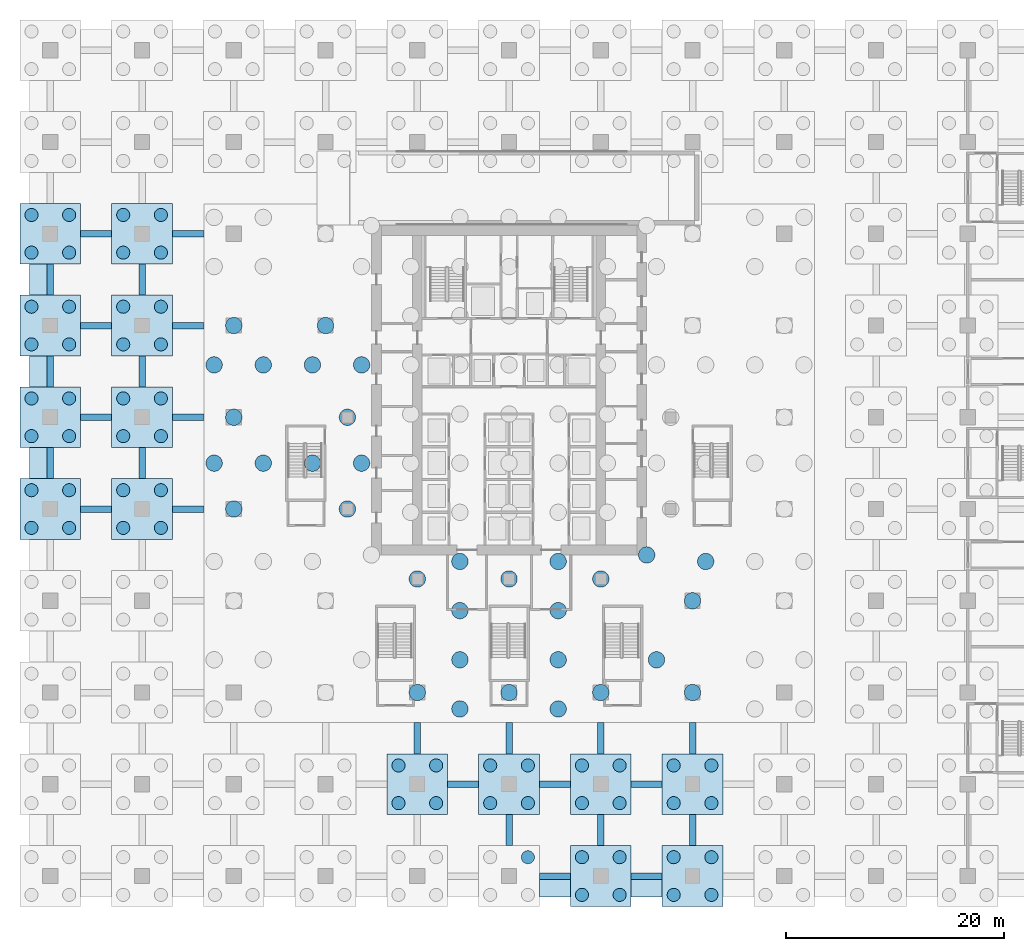
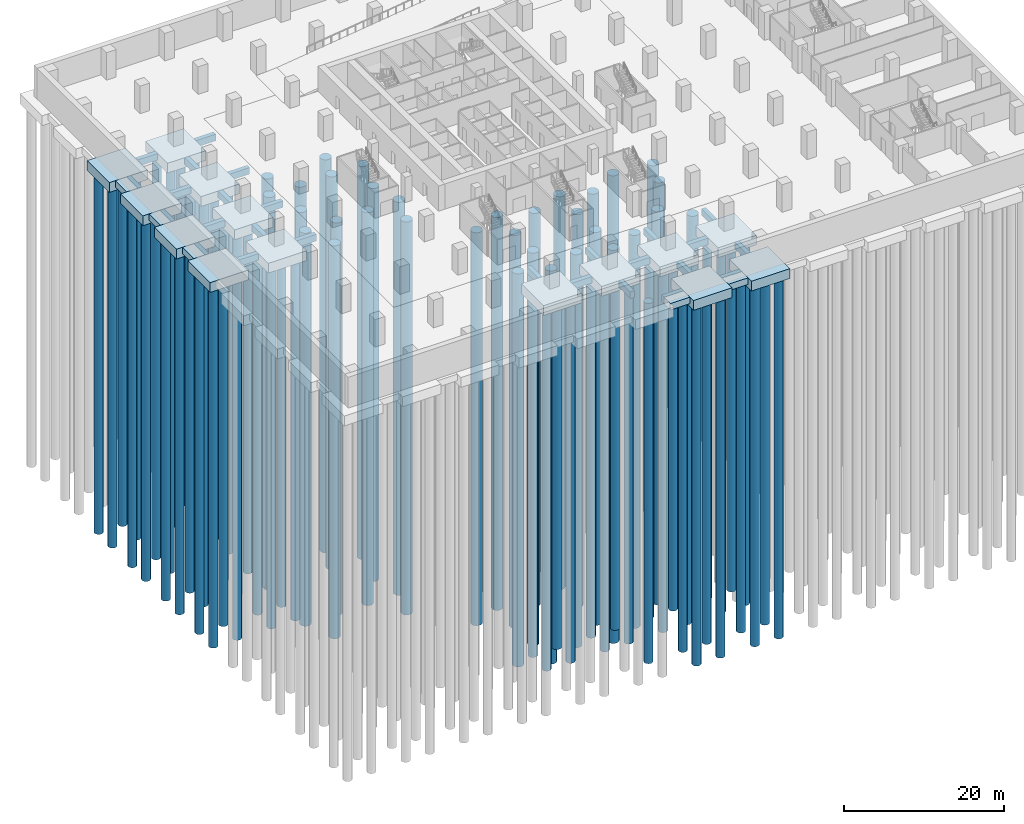
# One storey, part 2 of 22: 90 piles, 45 footings.
"""IFC4 building model written with IfcOpenShell, lengths in metres."""

import ifcopenshell
import ifcopenshell.guid

model = None  # the IFC model being written
_history = None  # IfcOwnerHistory: only IFC2X3 demands one
_inside = {}  # id of a spatial element -> (the spatial element, [elements in it])
_under = {}  # id of a project, library or spatial element -> (it, [spatial elements below it])
_declared = {}  # id of a project -> (the project, [libraries it declares])
_typed = {}  # id of a type object -> (the type object, [elements of that type])
_made_of = {}  # id of a material, layer set ... -> (it, [elements and type objects made of it])


def new_model(schema):
    """Start an empty IFC model of exactly this schema.

    Asked for "IFC4X3", IfcOpenShell would pick the latest addendum, in which some entities
    have other attributes; the version numbers below select the first issue.
    IFC2X3 requires an IfcOwnerHistory on every rooted entity: one is made here for all.
    """
    global model, _history
    if schema == "IFC4X3":
        model = ifcopenshell.file(schema_version=(4, 3, 0, 0))
    else:
        model = ifcopenshell.file(schema=schema)
    _inside.clear()
    _under.clear()
    _declared.clear()
    _typed.clear()
    _made_of.clear()
    _history = None
    if model.schema == "IFC2X3":
        org = make("IfcOrganization", Name="unknown")
        user = make(
            "IfcPersonAndOrganization",
            ThePerson=make("IfcPerson", FamilyName="unknown"),
            TheOrganization=org,
        )
        app = make(
            "IfcApplication",
            ApplicationDeveloper=org,
            Version="unknown",
            ApplicationFullName="unknown",
            ApplicationIdentifier="unknown",
        )
        _history = make(
            "IfcOwnerHistory",
            OwningUser=user,
            OwningApplication=app,
            ChangeAction="ADDED",
            CreationDate=0,
        )
    return model


def make(cls, **values):
    """One entity of the class cls with the attributes given. An attribute that is None is left unset."""
    return model.create_entity(
        cls, **{name: value for name, value in values.items() if value is not None}
    )


def rooted(cls, **values):
    """An entity with a GlobalId (a new one), such as an element, a storey or a relation."""
    return make(cls, GlobalId=ifcopenshell.guid.new(), OwnerHistory=_history, **values)


def si_unit(unit_type, name, prefix=None):
    """IfcSIUnit, for example si_unit("LENGTHUNIT", "METRE", prefix="MILLI")."""
    return make("IfcSIUnit", UnitType=unit_type, Prefix=prefix, Name=name)


def assignment(units):
    """IfcUnitAssignment: the units of a project."""
    return None if units is None else make("IfcUnitAssignment", Units=units)


def point(xyz):
    """IfcCartesianPoint."""
    return None if xyz is None else make("IfcCartesianPoint", Coordinates=xyz)


def direction(xyz):
    """IfcDirection."""
    return None if xyz is None else make("IfcDirection", DirectionRatios=xyz)


def frame(location, z_axis=None, x_axis=None):
    """IfcAxis2Placement3D, a coordinate frame: its origin and axes. An axis left out is left unset."""
    return make(
        "IfcAxis2Placement3D",
        Location=point(location),
        Axis=direction(z_axis),
        RefDirection=direction(x_axis),
    )


def frame_2d(location, x_axis=None):
    """IfcAxis2Placement2D, a coordinate frame in the plane: its origin and x axis."""
    return make(
        "IfcAxis2Placement2D", Location=point(location), RefDirection=direction(x_axis)
    )


def origin():
    """The frame at (0, 0, 0) with its axes left unset."""
    return frame((0.0, 0.0, 0.0))


def origin_2d():
    """The frame at (0, 0) in the plane with its x axis left unset."""
    return frame_2d((0.0, 0.0))


def place(relative_to, where):
    """IfcLocalPlacement: puts the frame where relative to a parent placement (None: the world)."""
    return make(
        "IfcLocalPlacement", PlacementRelTo=relative_to, RelativePlacement=where
    )


def context(
    kind, dimensions, precision=None, world=None, true_north=None, identifier=None
):
    """IfcGeometricRepresentationContext, for example the 3D "Model" context."""
    return make(
        "IfcGeometricRepresentationContext",
        ContextIdentifier=identifier,
        ContextType=kind,
        CoordinateSpaceDimension=dimensions,
        Precision=precision,
        WorldCoordinateSystem=world,
        TrueNorth=true_north,
    )


def subcontext(parent, identifier, kind, view, scale=None):
    """IfcGeometricRepresentationSubContext, for example "Body" below "Model"."""
    return make(
        "IfcGeometricRepresentationSubContext",
        ContextIdentifier=identifier,
        ContextType=kind,
        ParentContext=parent,
        TargetScale=scale,
        TargetView=view,
    )


def project(units=None, contexts=None):
    """IfcProject with its units and contexts."""
    return rooted(
        "IfcProject",
        Name="project",
        RepresentationContexts=contexts,
        UnitsInContext=assignment(units),
    )


def spatial(cls, under=None, at=None, **own):
    """A site, building, storey or space (cls), placed at a placement, below another one or the project."""
    s = rooted(cls, ObjectPlacement=at, **own)
    if under is not None:
        _under.setdefault(under.id(), (under, []))[1].append(s)
    return s


def polyline(points):
    """IfcPolyline through the points."""
    return make("IfcPolyline", Points=[point(p) for p in points])


def profile(cls, at=None, kind="AREA", **sizes):
    """A parametric profile (cls). Its sizes go by their IFC names, for example OverallWidth=200.0."""
    return make(cls, ProfileType=kind, Position=at, **sizes)


def circle(**sizes):
    """IfcCircleProfileDef."""
    return profile("IfcCircleProfileDef", **sizes)


def outline(outer, holes=None, kind="AREA"):
    """IfcArbitraryClosedProfileDef: a profile drawn as a closed curve; with holes, ...WithVoids."""
    if holes is None:
        return make("IfcArbitraryClosedProfileDef", ProfileType=kind, OuterCurve=outer)
    return make(
        "IfcArbitraryProfileDefWithVoids",
        ProfileType=kind,
        OuterCurve=outer,
        InnerCurves=holes,
    )


def extrude(swept, where, along, depth):
    """IfcExtrudedAreaSolid: the profile swept, set in the frame where, extruded along a direction by depth."""
    return make(
        "IfcExtrudedAreaSolid",
        SweptArea=swept,
        Position=where,
        ExtrudedDirection=direction(along),
        Depth=depth,
    )


def shape(context_of_items, identifier, shape_type, items):
    """IfcShapeRepresentation: the items that make up one representation, for example the "Body"."""
    return make(
        "IfcShapeRepresentation",
        ContextOfItems=context_of_items,
        RepresentationIdentifier=identifier,
        RepresentationType=shape_type,
        Items=items,
    )


def material(Name=None, Category=None):
    """IfcMaterial."""
    return make("IfcMaterial", Name=Name, Category=Category)


def layer(
    of_material, thickness, ventilated=None, Name=None, Category=None, Priority=None
):
    """IfcMaterialLayer: one layer of a wall or slab, of a material (None: an air gap)."""
    return make(
        "IfcMaterialLayer",
        Material=of_material,
        LayerThickness=thickness,
        IsVentilated=ventilated,
        Name=Name,
        Category=Category,
        Priority=Priority,
    )


def layer_set(layers, Name=None):
    """IfcMaterialLayerSet."""
    return make("IfcMaterialLayerSet", MaterialLayers=layers, LayerSetName=Name)


def made_of(thing, what):
    """Note that an element or type object is made of a material, layer set ...; save() writes the relation."""
    if what is not None:
        _made_of.setdefault(what.id(), (what, []))[1].append(thing)
    return thing


def type_object(cls, material=None, **own):
    """A type object (cls), such as IfcWallType, which elements share."""
    return made_of(rooted(cls, **own), material)


def element(
    cls,
    number,
    at=None,
    inside=None,
    cuts=None,
    type_object=None,
    material=None,
    context=None,
    identifier="Body",
    shape_type=None,
    held_by="IfcProductDefinitionShape",
    body=None,
    shapes=None,
    **own,
):
    """One element of the class cls, such as IfcWall. Its Tag is "e" and its number.

    at: its placement. inside: the storey or other place that contains it. cuts: it is an
    opening in that element (IfcRelVoidsElement). A single representation is given by context,
    identifier, shape_type and body (its items); several are given by shapes. held_by: the class
    of the entity that holds the representations. save() writes the other relations.
    """
    e = rooted(cls, Tag="e%d" % number, ObjectPlacement=at, **own)
    if body is not None:
        shapes = [shape(context, identifier, shape_type, body)]
    if shapes is not None:
        e.Representation = make(held_by, Representations=shapes)
    if inside is not None:
        _inside.setdefault(inside.id(), (inside, []))[1].append(e)
    if cuts is not None:
        rooted(
            "IfcRelVoidsElement", RelatingBuildingElement=cuts, RelatedOpeningElement=e
        )
    if type_object is not None:
        _typed.setdefault(type_object.id(), (type_object, []))[1].append(e)
    return made_of(e, material)


def aggregate(whole, parts):
    """IfcRelAggregates: a whole, such as a stair, and the parts it consists of."""
    return rooted("IfcRelAggregates", RelatingObject=whole, RelatedObjects=parts)


def save(model, path):
    """Write the relations noted so far, then the file.

    IfcRelAggregates (storeys below a building ...), IfcRelContainedInSpatialStructure (elements
    in a storey), IfcRelDefinesByType, IfcRelAssociatesMaterial and IfcRelDeclares: one each for
    every whole, place, type object, material and project.
    """
    for whole, parts in _under.values():
        aggregate(whole, parts)
    for where, things in _inside.values():
        rooted(
            "IfcRelContainedInSpatialStructure",
            RelatedElements=things,
            RelatingStructure=where,
        )
    for kind, things in _typed.values():
        rooted("IfcRelDefinesByType", RelatedObjects=things, RelatingType=kind)
    for what, things in _made_of.values():
        rooted("IfcRelAssociatesMaterial", RelatedObjects=things, RelatingMaterial=what)
    for by, libraries in _declared.values():
        rooted("IfcRelDeclares", RelatingContext=by, RelatedDefinitions=libraries)
    model.write(path)


model = new_model("IFC4")

# Units and contexts
model_context = context("Model", 3, precision=1e-05, world=origin(), true_north=direction((0.0, 1.0)))
body_context = subcontext(model_context, "Body", "Model", "MODEL_VIEW")
ifc_project = project(units=[si_unit("LENGTHUNIT", "METRE"), si_unit("AREAUNIT", "SQUARE_METRE"), si_unit("VOLUMEUNIT", "CUBIC_METRE"), si_unit("PLANEANGLEUNIT", "RADIAN"), si_unit("MASSUNIT", "GRAM", prefix="KILO")], contexts=[model_context])

# Site, building, storey
site_placement = place(None, origin())
site = spatial("IfcSite", under=ifc_project, at=site_placement, CompositionType="ELEMENT")
building_placement = place(site_placement, origin())
building = spatial("IfcBuilding", under=site, at=building_placement, Name="Vermilion Ogive Tower", CompositionType="ELEMENT")
storey_placement = place(building_placement, frame((0.0, 0.0, -8.39990234375)))
storey = spatial("IfcBuildingStorey", under=building, at=storey_placement, Name="B2", CompositionType="ELEMENT", Elevation=-8.39990234375)

# Piles
ifc_material_1 = material(Name="Concrete B45", Category="concrete")
pile_type_1 = type_object("IfcPileType", Name="Bored pile PC1 D1200", PredefinedType="BORED", material=ifc_material_1)
for number, where, z_axis, x_axis, name in (
    (1, (-43.72509765625, -5.925048828125, -1.900146484375), (0.0, 0.0, -1.0), (1.0, 0.0, 0.0), "Cap pile 004-1"),
    (2, (-40.27490234375, -5.925048828125, -1.900146484375), (0.0, 0.0, -1.0), (1.0, 0.0, 0.0), "Cap pile 004-2"),
    (3, (-43.72509765625, -2.47509765625, -1.900146484375), (0.0, 0.0, -1.0), (1.0, 0.0, 0.0), "Cap pile 004-3"),
    (4, (-40.27490234375, -2.47509765625, -1.900146484375), (0.0, 0.0, -1.0), (1.0, 0.0, 0.0), "Cap pile 004-4"),
    (5, (-43.72509765625, 2.47509765625, -1.900146484375), (0.0, 0.0, -1.0), (1.0, 0.0, 0.0), "Cap pile 005-1"),
    (6, (-40.27490234375, 2.47509765625, -1.900146484375), (0.0, 0.0, -1.0), (1.0, 0.0, 0.0), "Cap pile 005-2"),
    (7, (-43.72509765625, 5.925048828125, -1.900146484375), (0.0, 0.0, -1.0), (1.0, 0.0, 0.0), "Cap pile 005-3"),
    (8, (-40.27490234375, 5.925048828125, -1.900146484375), (0.0, 0.0, -1.0), (1.0, 0.0, 0.0), "Cap pile 005-4"),
    (9, (-43.72509765625, 10.875, -1.900146484375), (0.0, 0.0, -1.0), (1.0, 0.0, 0.0), "Cap pile 006-1"),
    (10, (-40.27490234375, 10.875, -1.900146484375), (0.0, 0.0, -1.0), (1.0, 0.0, 0.0), "Cap pile 006-2"),
    (11, (-43.72509765625, 14.324951171875, -1.900146484375), (0.0, 0.0, -1.0), (1.0, 0.0, 0.0), "Cap pile 006-3"),
    (12, (-40.27490234375, 14.324951171875, -1.900146484375), (0.0, 0.0, -1.0), (1.0, 0.0, 0.0), "Cap pile 006-4"),
    (13, (-43.72509765625, 19.27490234375, -1.900146484375), (0.0, 0.0, -1.0), (1.0, 0.0, 0.0), "Cap pile 007-1"),
    (14, (-40.27490234375, 19.27490234375, -1.900146484375), (0.0, 0.0, -1.0), (1.0, 0.0, 0.0), "Cap pile 007-2"),
    (15, (-43.72509765625, 22.72509765625, -1.900146484375), (0.0, 0.0, -1.0), (1.0, 0.0, 0.0), "Cap pile 007-3"),
    (16, (-40.27490234375, 22.72509765625, -1.900146484375), (0.0, 0.0, -1.0), (1.0, 0.0, 0.0), "Cap pile 007-4"),
    (17, (-35.324951171875, -5.925048828125, -1.900146484375), (0.0, 0.0, -1.0), (1.0, 0.0, 0.0), "Cap pile 014-1"),
    (18, (-31.875, -5.925048828125, -1.900146484375), (0.0, 0.0, -1.0), (1.0, 0.0, 0.0), "Cap pile 014-2"),
    (19, (-35.324951171875, -2.47509765625, -1.900146484375), (0.0, 0.0, -1.0), (1.0, 0.0, 0.0), "Cap pile 014-3"),
    (20, (-31.875, -2.47509765625, -1.900146484375), (0.0, 0.0, -1.0), (1.0, 0.0, 0.0), "Cap pile 014-4"),
    (21, (-35.324951171875, 2.47509765625, -1.900146484375), (0.0, 0.0, -1.0), (1.0, 0.0, 0.0), "Cap pile 015-1"),
    (22, (-31.875, 2.47509765625, -1.900146484375), (0.0, 0.0, -1.0), (1.0, 0.0, 0.0), "Cap pile 015-2"),
    (23, (-35.324951171875, 5.925048828125, -1.900146484375), (0.0, 0.0, -1.0), (1.0, 0.0, 0.0), "Cap pile 015-3"),
    (24, (-31.875, 5.925048828125, -1.900146484375), (0.0, 0.0, -1.0), (1.0, 0.0, 0.0), "Cap pile 015-4"),
    (25, (-35.324951171875, 10.875, -1.900146484375), (0.0, 0.0, -1.0), (1.0, 0.0, 0.0), "Cap pile 016-1"),
    (26, (-31.875, 10.875, -1.900146484375), (0.0, 0.0, -1.0), (1.0, 0.0, 0.0), "Cap pile 016-2"),
    (27, (-35.324951171875, 14.324951171875, -1.900146484375), (0.0, 0.0, -1.0), (1.0, 0.0, 0.0), "Cap pile 016-3"),
    (28, (-31.875, 14.324951171875, -1.900146484375), (0.0, 0.0, -1.0), (1.0, 0.0, 0.0), "Cap pile 016-4"),
    (29, (-35.324951171875, 19.27490234375, -1.900146484375), (0.0, 0.0, -1.0), (1.0, 0.0, 0.0), "Cap pile 017-1"),
    (30, (-31.875, 19.27490234375, -1.900146484375), (0.0, 0.0, -1.0), (1.0, 0.0, 0.0), "Cap pile 017-2"),
    (31, (-35.324951171875, 22.72509765625, -1.900146484375), (0.0, 0.0, -1.0), (1.0, 0.0, 0.0), "Cap pile 017-3"),
    (32, (-31.875, 22.72509765625, -1.900146484375), (0.0, 0.0, -1.0), (1.0, 0.0, 0.0), "Cap pile 017-4"),
    (33, (-10.125, -31.125, -1.900146484375), (0.0, 0.0, -1.0), (1.0, 0.0, 0.0), "Cap pile 029-1"),
    (34, (-6.675048828125, -31.125, -1.900146484375), (0.0, 0.0, -1.0), (1.0, 0.0, 0.0), "Cap pile 029-2"),
    (35, (-10.125, -27.675048828125, -1.900146484375), (0.0, 0.0, -1.0), (1.0, 0.0, 0.0), "Cap pile 029-3"),
    (36, (-6.675048828125, -27.675048828125, -1.900146484375), (0.0, 0.0, -1.0), (1.0, 0.0, 0.0), "Cap pile 029-4"),
    (37, (1.72509765625, -36.074951171875, -1.900146484375), (0.0, 0.0, -1.0), (1.0, 0.0, 0.0), "Cap pile 032-4"),
    (38, (-1.72509765625, -31.125, -1.900146484375), (0.0, 0.0, -1.0), (1.0, 0.0, 0.0), "Cap pile 033-1"),
    (39, (1.72509765625, -31.125, -1.900146484375), (0.0, 0.0, -1.0), (1.0, 0.0, 0.0), "Cap pile 033-2"),
    (40, (-1.72509765625, -27.675048828125, -1.900146484375), (0.0, 0.0, -1.0), (1.0, 0.0, 0.0), "Cap pile 033-3"),
    (41, (1.72509765625, -27.675048828125, -1.900146484375), (0.0, 0.0, -1.0), (1.0, 0.0, 0.0), "Cap pile 033-4"),
    (42, (6.675048828125, -39.52490234375, -1.900146484375), (0.0, 0.0, -1.0), (1.0, 0.0, 0.0), "Cap pile 036-1"),
    (43, (10.125, -39.52490234375, -1.900146484375), (0.0, 0.0, -1.0), (1.0, 0.0, 0.0), "Cap pile 036-2"),
    (44, (6.675048828125, -36.074951171875, -1.900146484375), (0.0, 0.0, -1.0), (1.0, 0.0, 0.0), "Cap pile 036-3"),
    (45, (10.125, -36.074951171875, -1.900146484375), (0.0, 0.0, -1.0), (1.0, 0.0, 0.0), "Cap pile 036-4"),
    (46, (6.675048828125, -31.125, -1.900146484375), (0.0, 0.0, -1.0), (1.0, 0.0, 0.0), "Cap pile 037-1"),
    (47, (10.125, -31.125, -1.900146484375), (0.0, 0.0, -1.0), (1.0, 0.0, 0.0), "Cap pile 037-2"),
    (48, (6.675048828125, -27.675048828125, -1.900146484375), (0.0, 0.0, -1.0), (1.0, 0.0, 0.0), "Cap pile 037-3"),
    (49, (10.125, -27.675048828125, -1.900146484375), (0.0, 0.0, -1.0), (1.0, 0.0, 0.0), "Cap pile 037-4"),
    (50, (15.074951171875, -39.52490234375, -1.900146484375), (0.0, 0.0, -1.0), (1.0, 0.0, 0.0), "Cap pile 040-1"),
    (51, (18.52490234375, -39.52490234375, -1.900146484375), (0.0, 0.0, -1.0), (1.0, 0.0, 0.0), "Cap pile 040-2"),
    (52, (15.074951171875, -36.074951171875, -1.900146484375), (0.0, 0.0, -1.0), (1.0, 0.0, 0.0), "Cap pile 040-3"),
    (53, (18.52490234375, -36.074951171875, -1.900146484375), (0.0, 0.0, -1.0), (1.0, 0.0, 0.0), "Cap pile 040-4"),
    (54, (15.074951171875, -31.125, -1.900146484375), (0.0, 0.0, -1.0), (1.0, 0.0, 0.0), "Cap pile 041-1"),
    (55, (18.52490234375, -31.125, -1.900146484375), (0.0, 0.0, -1.0), (1.0, 0.0, 0.0), "Cap pile 041-2"),
    (56, (15.074951171875, -27.675048828125, -1.900146484375), (0.0, 0.0, -1.0), (1.0, 0.0, 0.0), "Cap pile 041-3"),
    (57, (18.52490234375, -27.675048828125, -1.900146484375), (0.0, 0.0, -1.0), (1.0, 0.0, 0.0), "Cap pile 041-4"),
):
    element("IfcPile", number, at=place(storey_placement, frame(where, z_axis=z_axis, x_axis=x_axis)), inside=storey, type_object=pile_type_1, Name=name, PredefinedType="BORED", context=body_context, shape_type="SweptSolid", body=[
        extrude(circle(Radius=0.60009765625, at=origin_2d()), origin(), (0.0, 0.0, 1.0), 55.0),
    ])
ifc_material_2 = material(Name="Concrete B45", Category="concrete")
pile_type_2 = type_object("IfcPileType", Name="Bored pile PR1 D1500", PredefinedType="BORED", material=ifc_material_2)
for number, where, z_axis, x_axis, name in (
    (58, (-27.0, 0.0, -2.900146484375), (0.0, 0.0, -1.0), (1.0, 0.0, 0.0), "Raft pile 004"),
    (59, (-27.0, 9.0, -2.900146484375), (0.0, 0.0, -1.0), (1.0, 0.0, 0.0), "Raft pile 005"),
    (60, (-25.199951171875, -4.199951171875, -2.900146484375), (0.0, 0.0, -1.0), (1.0, 0.0, 0.0), "Raft pile 009"),
    (61, (-25.199951171875, 4.199951171875, -2.900146484375), (0.0, 0.0, -1.0), (1.0, 0.0, 0.0), "Raft pile 010"),
    (62, (-25.199951171875, 12.60009765625, -2.900146484375), (0.0, 0.0, -1.0), (1.0, 0.0, 0.0), "Raft pile 011"),
    (63, (-22.5, 0.0, -2.900146484375), (0.0, 0.0, -1.0), (1.0, 0.0, 0.0), "Raft pile 015"),
    (64, (-22.5, 9.0, -2.900146484375), (0.0, 0.0, -1.0), (1.0, 0.0, 0.0), "Raft pile 016"),
    (65, (-18.0, 0.0, -2.900146484375), (0.0, 0.0, -1.0), (1.0, 0.0, 0.0), "Raft pile 020"),
    (66, (-18.0, 9.0, -2.900146484375), (0.0, 0.0, -1.0), (1.0, 0.0, 0.0), "Raft pile 021"),
    (67, (-16.800048828125, 12.60009765625, -2.900146484375), (0.0, 0.0, -1.0), (1.0, 0.0, 0.0), "Raft pile 024"),
    (68, (-14.800048828125, -4.199951171875, -2.900146484375), (0.0, 0.0, -1.0), (1.0, 0.0, 0.0), "Raft pile 026"),
    (69, (-14.800048828125, 4.199951171875, -2.900146484375), (0.0, 0.0, -1.0), (1.0, 0.0, 0.0), "Raft pile 027"),
    (70, (-13.5, 0.0, -2.900146484375), (0.0, 0.0, -1.0), (1.0, 0.0, 0.0), "Raft pile 029"),
    (71, (-13.5, 9.0, -2.900146484375), (0.0, 0.0, -1.0), (1.0, 0.0, 0.0), "Raft pile 030"),
    (72, (-8.39990234375, -21.0, -2.900146484375), (0.0, 0.0, -1.0), (1.0, 0.0, 0.0), "Raft pile 040"),
    (73, (-8.39990234375, -10.60009765625, -2.900146484375), (0.0, 0.0, -1.0), (1.0, 0.0, 0.0), "Raft pile 041"),
    (74, (-4.5, -22.5, -2.900146484375), (0.0, 0.0, -1.0), (1.0, 0.0, 0.0), "Raft pile 042"),
    (75, (-4.5, -18.0, -2.900146484375), (0.0, 0.0, -1.0), (1.0, 0.0, 0.0), "Raft pile 043"),
    (76, (-4.5, -13.5, -2.900146484375), (0.0, 0.0, -1.0), (1.0, 0.0, 0.0), "Raft pile 044"),
    (77, (-4.5, -9.0, -2.900146484375), (0.0, 0.0, -1.0), (1.0, 0.0, 0.0), "Raft pile 045"),
    (78, (0.0, -21.0, -2.900146484375), (0.0, 0.0, -1.0), (1.0, 0.0, 0.0), "Raft pile 053"),
    (79, (0.0, -10.60009765625, -2.900146484375), (0.0, 0.0, -1.0), (1.0, 0.0, 0.0), "Raft pile 054"),
    (80, (4.5, -22.5, -2.900146484375), (0.0, 0.0, -1.0), (1.0, 0.0, 0.0), "Raft pile 062"),
    (81, (4.5, -18.0, -2.900146484375), (0.0, 0.0, -1.0), (1.0, 0.0, 0.0), "Raft pile 063"),
    (82, (4.5, -13.5, -2.900146484375), (0.0, 0.0, -1.0), (1.0, 0.0, 0.0), "Raft pile 064"),
    (83, (4.5, -9.0, -2.900146484375), (0.0, 0.0, -1.0), (1.0, 0.0, 0.0), "Raft pile 065"),
    (84, (8.39990234375, -21.0, -2.900146484375), (0.0, 0.0, -1.0), (1.0, 0.0, 0.0), "Raft pile 073"),
    (85, (8.39990234375, -10.60009765625, -2.900146484375), (0.0, 0.0, -1.0), (1.0, 0.0, 0.0), "Raft pile 074"),
    (86, (12.60009765625, -8.39990234375, -2.900146484375), (0.0, 0.0, -1.0), (1.0, 0.0, 0.0), "Raft pile 081"),
    (87, (13.5, -18.0, -2.900146484375), (0.0, 0.0, -1.0), (1.0, 0.0, 0.0), "Raft pile 083"),
    (88, (16.800048828125, -21.0, -2.900146484375), (0.0, 0.0, -1.0), (1.0, 0.0, 0.0), "Raft pile 089"),
    (89, (16.800048828125, -12.60009765625, -2.900146484375), (0.0, 0.0, -1.0), (1.0, 0.0, 0.0), "Raft pile 090"),
    (90, (18.0, -9.0, -2.900146484375), (0.0, 0.0, -1.0), (1.0, 0.0, 0.0), "Raft pile 093"),
):
    element("IfcPile", number, at=place(storey_placement, frame(where, z_axis=z_axis, x_axis=x_axis)), inside=storey, type_object=pile_type_2, Name=name, PredefinedType="BORED", context=body_context, shape_type="SweptSolid", body=[
        extrude(circle(Radius=0.75, at=origin_2d()), origin(), (0.0, 0.0, 1.0), 60.0),
    ])

# Footings
ifc_material_3 = material(Name="Concrete B50", Category="concrete")
footing_type_1 = type_object("IfcFootingType", Name="Ground beam GB1", PredefinedType="FOOTING_BEAM", material=ifc_material_3)
footing_1_placement = place(storey_placement, frame((0.0, 0.0, -1.5)))
element("IfcFooting", 91, at=footing_1_placement, inside=storey, type_object=footing_type_1, Name="Ground beam 009", PredefinedType="FOOTING_BEAM", context=body_context, shape_type="SweptSolid", body=[
    extrude(outline(polyline([(-36.375, -4.5), (-36.375, -3.89990234375), (-39.22509765625, -3.89990234375), (-39.22509765625, -4.5), (-36.375, -4.5)])), origin(), (0.0, 0.0, 1.0), 1.0),
])
footing_2_placement = place(storey_placement, frame((0.0, 0.0, -1.5)))
element("IfcFooting", 92, at=footing_2_placement, inside=storey, type_object=footing_type_1, Name="Ground beam 010", PredefinedType="FOOTING_BEAM", context=body_context, shape_type="SweptSolid", body=[
    extrude(outline(polyline([(-41.699951171875, -1.425048828125), (-41.699951171875, 1.425048828125), (-42.300048828125, 1.425048828125), (-42.300048828125, -1.425048828125), (-41.699951171875, -1.425048828125)])), origin(), (0.0, 0.0, 1.0), 1.0),
])
footing_3_placement = place(storey_placement, frame((0.0, 0.0, -1.5)))
element("IfcFooting", 93, at=footing_3_placement, inside=storey, type_object=footing_type_1, Name="Ground beam 011", PredefinedType="FOOTING_BEAM", context=body_context, shape_type="SweptSolid", body=[
    extrude(outline(polyline([(-36.375, 3.89990234375), (-36.375, 4.5), (-39.22509765625, 4.5), (-39.22509765625, 3.89990234375), (-36.375, 3.89990234375)])), origin(), (0.0, 0.0, 1.0), 1.0),
])
footing_4_placement = place(storey_placement, frame((0.0, 0.0, -1.5)))
element("IfcFooting", 94, at=footing_4_placement, inside=storey, type_object=footing_type_1, Name="Ground beam 012", PredefinedType="FOOTING_BEAM", context=body_context, shape_type="SweptSolid", body=[
    extrude(outline(polyline([(-41.699951171875, 6.97509765625), (-41.699951171875, 9.824951171875), (-42.300048828125, 9.824951171875), (-42.300048828125, 6.97509765625), (-41.699951171875, 6.97509765625)])), origin(), (0.0, 0.0, 1.0), 1.0),
])
footing_5_placement = place(storey_placement, frame((0.0, 0.0, -1.5)))
element("IfcFooting", 95, at=footing_5_placement, inside=storey, type_object=footing_type_1, Name="Ground beam 013", PredefinedType="FOOTING_BEAM", context=body_context, shape_type="SweptSolid", body=[
    extrude(outline(polyline([(-36.375, 12.300048828125), (-36.375, 12.89990234375), (-39.22509765625, 12.89990234375), (-39.22509765625, 12.300048828125), (-36.375, 12.300048828125)])), origin(), (0.0, 0.0, 1.0), 1.0),
])
footing_6_placement = place(storey_placement, frame((0.0, 0.0, -1.5)))
element("IfcFooting", 96, at=footing_6_placement, inside=storey, type_object=footing_type_1, Name="Ground beam 014", PredefinedType="FOOTING_BEAM", context=body_context, shape_type="SweptSolid", body=[
    extrude(outline(polyline([(-41.699951171875, 15.375), (-41.699951171875, 18.22509765625), (-42.300048828125, 18.22509765625), (-42.300048828125, 15.375), (-41.699951171875, 15.375)])), origin(), (0.0, 0.0, 1.0), 1.0),
])
footing_7_placement = place(storey_placement, frame((0.0, 0.0, -1.5)))
element("IfcFooting", 97, at=footing_7_placement, inside=storey, type_object=footing_type_1, Name="Ground beam 015", PredefinedType="FOOTING_BEAM", context=body_context, shape_type="SweptSolid", body=[
    extrude(outline(polyline([(-36.375, 20.699951171875), (-36.375, 21.300048828125), (-39.22509765625, 21.300048828125), (-39.22509765625, 20.699951171875), (-36.375, 20.699951171875)])), origin(), (0.0, 0.0, 1.0), 1.0),
])
footing_8_placement = place(storey_placement, frame((0.0, 0.0, -1.5)))
element("IfcFooting", 98, at=footing_8_placement, inside=storey, type_object=footing_type_1, Name="Ground beam 028", PredefinedType="FOOTING_BEAM", context=body_context, shape_type="SweptSolid", body=[
    extrude(outline(polyline([(-27.949951171875, -4.5), (-27.949951171875, -3.89990234375), (-30.824951171875, -3.89990234375), (-30.824951171875, -4.5), (-27.949951171875, -4.5)])), origin(), (0.0, 0.0, 1.0), 1.0),
])
footing_9_placement = place(storey_placement, frame((0.0, 0.0, -1.5)))
element("IfcFooting", 99, at=footing_9_placement, inside=storey, type_object=footing_type_1, Name="Ground beam 029", PredefinedType="FOOTING_BEAM", context=body_context, shape_type="SweptSolid", body=[
    extrude(outline(polyline([(-33.300048828125, -1.425048828125), (-33.300048828125, 1.425048828125), (-33.89990234375, 1.425048828125), (-33.89990234375, -1.425048828125), (-33.300048828125, -1.425048828125)])), origin(), (0.0, 0.0, 1.0), 1.0),
])
footing_10_placement = place(storey_placement, frame((0.0, 0.0, -1.5)))
element("IfcFooting", 100, at=footing_10_placement, inside=storey, type_object=footing_type_1, Name="Ground beam 030", PredefinedType="FOOTING_BEAM", context=body_context, shape_type="SweptSolid", body=[
    extrude(outline(polyline([(-27.949951171875, 3.89990234375), (-27.949951171875, 4.5), (-30.824951171875, 4.5), (-30.824951171875, 3.89990234375), (-27.949951171875, 3.89990234375)])), origin(), (0.0, 0.0, 1.0), 1.0),
])
footing_11_placement = place(storey_placement, frame((0.0, 0.0, -1.5)))
element("IfcFooting", 101, at=footing_11_placement, inside=storey, type_object=footing_type_1, Name="Ground beam 031", PredefinedType="FOOTING_BEAM", context=body_context, shape_type="SweptSolid", body=[
    extrude(outline(polyline([(-33.300048828125, 6.97509765625), (-33.300048828125, 9.824951171875), (-33.89990234375, 9.824951171875), (-33.89990234375, 6.97509765625), (-33.300048828125, 6.97509765625)])), origin(), (0.0, 0.0, 1.0), 1.0),
])
footing_12_placement = place(storey_placement, frame((0.0, 0.0, -1.5)))
element("IfcFooting", 102, at=footing_12_placement, inside=storey, type_object=footing_type_1, Name="Ground beam 032", PredefinedType="FOOTING_BEAM", context=body_context, shape_type="SweptSolid", body=[
    extrude(outline(polyline([(-27.949951171875, 12.300048828125), (-27.949951171875, 12.89990234375), (-30.824951171875, 12.89990234375), (-30.824951171875, 12.300048828125), (-27.949951171875, 12.300048828125)])), origin(), (0.0, 0.0, 1.0), 1.0),
])
footing_13_placement = place(storey_placement, frame((0.0, 0.0, -1.5)))
element("IfcFooting", 103, at=footing_13_placement, inside=storey, type_object=footing_type_1, Name="Ground beam 033", PredefinedType="FOOTING_BEAM", context=body_context, shape_type="SweptSolid", body=[
    extrude(outline(polyline([(-33.300048828125, 15.375), (-33.300048828125, 18.22509765625), (-33.89990234375, 18.22509765625), (-33.89990234375, 15.375), (-33.300048828125, 15.375)])), origin(), (0.0, 0.0, 1.0), 1.0),
])
footing_14_placement = place(storey_placement, frame((0.0, 0.0, -1.5)))
element("IfcFooting", 104, at=footing_14_placement, inside=storey, type_object=footing_type_1, Name="Ground beam 034", PredefinedType="FOOTING_BEAM", context=body_context, shape_type="SweptSolid", body=[
    extrude(outline(polyline([(-27.949951171875, 20.699951171875), (-27.949951171875, 21.300048828125), (-30.824951171875, 21.300048828125), (-30.824951171875, 20.699951171875), (-27.949951171875, 20.699951171875)])), origin(), (0.0, 0.0, 1.0), 1.0),
])
footing_15_placement = place(storey_placement, frame((0.0, 0.0, -1.5)))
element("IfcFooting", 105, at=footing_15_placement, inside=storey, type_object=footing_type_1, Name="Ground beam 055", PredefinedType="FOOTING_BEAM", context=body_context, shape_type="SweptSolid", body=[
    extrude(outline(polyline([(-2.77490234375, -29.699951171875), (-2.77490234375, -29.10009765625), (-5.625, -29.10009765625), (-5.625, -29.699951171875), (-2.77490234375, -29.699951171875)])), origin(), (0.0, 0.0, 1.0), 1.0),
])
footing_16_placement = place(storey_placement, frame((0.0, 0.0, -1.5)))
element("IfcFooting", 106, at=footing_16_placement, inside=storey, type_object=footing_type_1, Name="Ground beam 056", PredefinedType="FOOTING_BEAM", context=body_context, shape_type="SweptSolid", body=[
    extrude(outline(polyline([(-8.10009765625, -26.625), (-8.10009765625, -23.75), (-8.699951171875, -23.75), (-8.699951171875, -26.625), (-8.10009765625, -26.625)])), origin(), (0.0, 0.0, 1.0), 1.0),
])
footing_17_placement = place(storey_placement, frame((0.0, 0.0, -1.5)))
element("IfcFooting", 107, at=footing_17_placement, inside=storey, type_object=footing_type_1, Name="Ground beam 060", PredefinedType="FOOTING_BEAM", context=body_context, shape_type="SweptSolid", body=[
    extrude(outline(polyline([(5.625, -38.10009765625), (5.625, -37.5), (2.77490234375, -37.5), (2.77490234375, -38.10009765625), (5.625, -38.10009765625)])), origin(), (0.0, 0.0, 1.0), 1.0),
])
footing_18_placement = place(storey_placement, frame((0.0, 0.0, -1.5)))
element("IfcFooting", 108, at=footing_18_placement, inside=storey, type_object=footing_type_1, Name="Ground beam 061", PredefinedType="FOOTING_BEAM", context=body_context, shape_type="SweptSolid", body=[
    extrude(outline(polyline([(0.300048828125, -35.02490234375), (0.300048828125, -32.175048828125), (-0.300048828125, -32.175048828125), (-0.300048828125, -35.02490234375), (0.300048828125, -35.02490234375)])), origin(), (0.0, 0.0, 1.0), 1.0),
])
footing_19_placement = place(storey_placement, frame((0.0, 0.0, -1.5)))
element("IfcFooting", 109, at=footing_19_placement, inside=storey, type_object=footing_type_1, Name="Ground beam 062", PredefinedType="FOOTING_BEAM", context=body_context, shape_type="SweptSolid", body=[
    extrude(outline(polyline([(5.625, -29.699951171875), (5.625, -29.10009765625), (2.77490234375, -29.10009765625), (2.77490234375, -29.699951171875), (5.625, -29.699951171875)])), origin(), (0.0, 0.0, 1.0), 1.0),
])
footing_20_placement = place(storey_placement, frame((0.0, 0.0, -1.5)))
element("IfcFooting", 110, at=footing_20_placement, inside=storey, type_object=footing_type_1, Name="Ground beam 063", PredefinedType="FOOTING_BEAM", context=body_context, shape_type="SweptSolid", body=[
    extrude(outline(polyline([(0.300048828125, -26.625), (0.300048828125, -23.75), (-0.300048828125, -23.75), (-0.300048828125, -26.625), (0.300048828125, -26.625)])), origin(), (0.0, 0.0, 1.0), 1.0),
])
footing_21_placement = place(storey_placement, frame((0.0, 0.0, -1.5)))
element("IfcFooting", 111, at=footing_21_placement, inside=storey, type_object=footing_type_1, Name="Ground beam 067", PredefinedType="FOOTING_BEAM", context=body_context, shape_type="SweptSolid", body=[
    extrude(outline(polyline([(14.02490234375, -38.10009765625), (14.02490234375, -37.5), (11.175048828125, -37.5), (11.175048828125, -38.10009765625), (14.02490234375, -38.10009765625)])), origin(), (0.0, 0.0, 1.0), 1.0),
])
footing_22_placement = place(storey_placement, frame((0.0, 0.0, -1.5)))
element("IfcFooting", 112, at=footing_22_placement, inside=storey, type_object=footing_type_1, Name="Ground beam 068", PredefinedType="FOOTING_BEAM", context=body_context, shape_type="SweptSolid", body=[
    extrude(outline(polyline([(8.699951171875, -35.02490234375), (8.699951171875, -32.175048828125), (8.10009765625, -32.175048828125), (8.10009765625, -35.02490234375), (8.699951171875, -35.02490234375)])), origin(), (0.0, 0.0, 1.0), 1.0),
])
footing_23_placement = place(storey_placement, frame((0.0, 0.0, -1.5)))
element("IfcFooting", 113, at=footing_23_placement, inside=storey, type_object=footing_type_1, Name="Ground beam 069", PredefinedType="FOOTING_BEAM", context=body_context, shape_type="SweptSolid", body=[
    extrude(outline(polyline([(14.02490234375, -29.699951171875), (14.02490234375, -29.10009765625), (11.175048828125, -29.10009765625), (11.175048828125, -29.699951171875), (14.02490234375, -29.699951171875)])), origin(), (0.0, 0.0, 1.0), 1.0),
])
footing_24_placement = place(storey_placement, frame((0.0, 0.0, -1.5)))
element("IfcFooting", 114, at=footing_24_placement, inside=storey, type_object=footing_type_1, Name="Ground beam 070", PredefinedType="FOOTING_BEAM", context=body_context, shape_type="SweptSolid", body=[
    extrude(outline(polyline([(8.699951171875, -26.625), (8.699951171875, -23.75), (8.10009765625, -23.75), (8.10009765625, -26.625), (8.699951171875, -26.625)])), origin(), (0.0, 0.0, 1.0), 1.0),
])
footing_25_placement = place(storey_placement, frame((0.0, 0.0, -1.5)))
element("IfcFooting", 115, at=footing_25_placement, inside=storey, type_object=footing_type_1, Name="Ground beam 075", PredefinedType="FOOTING_BEAM", context=body_context, shape_type="SweptSolid", body=[
    extrude(outline(polyline([(17.10009765625, -35.02490234375), (17.10009765625, -32.175048828125), (16.5, -32.175048828125), (16.5, -35.02490234375), (17.10009765625, -35.02490234375)])), origin(), (0.0, 0.0, 1.0), 1.0),
])
footing_26_placement = place(storey_placement, frame((0.0, 0.0, -1.5)))
element("IfcFooting", 116, at=footing_26_placement, inside=storey, type_object=footing_type_1, Name="Ground beam 077", PredefinedType="FOOTING_BEAM", context=body_context, shape_type="SweptSolid", body=[
    extrude(outline(polyline([(17.10009765625, -26.625), (17.10009765625, -23.75), (16.5, -23.75), (16.5, -26.625), (17.10009765625, -26.625)])), origin(), (0.0, 0.0, 1.0), 1.0),
])
ifc_material_4 = material(Name="Concrete B50", Category="concrete")
ifc_layer_1 = layer(ifc_material_4, 1.5)
ifc_layer_set_1 = layer_set([ifc_layer_1], Name="Pile cap PC1")
footing_type_2 = type_object("IfcFootingType", Name="Pile cap PC1", PredefinedType="PILE_CAP", material=ifc_layer_set_1)
footing_27_placement = place(storey_placement, frame((0.0, 0.0, -2.0)))
element("IfcFooting", 117, at=footing_27_placement, inside=storey, type_object=footing_type_2, Name="Pile cap 004", PredefinedType="PILE_CAP", context=body_context, shape_type="SweptSolid", body=[
    extrude(outline(polyline([(-44.77490234375, -6.97509765625), (-39.22509765625, -6.97509765625), (-39.22509765625, -1.425048828125), (-44.77490234375, -1.425048828125), (-44.77490234375, -6.97509765625)])), origin(), (0.0, 0.0, 1.0), 1.5),
])
footing_28_placement = place(storey_placement, frame((0.0, 0.0, -2.0)))
element("IfcFooting", 118, at=footing_28_placement, inside=storey, type_object=footing_type_2, Name="Pile cap 005", PredefinedType="PILE_CAP", context=body_context, shape_type="SweptSolid", body=[
    extrude(outline(polyline([(-44.77490234375, 1.425048828125), (-39.22509765625, 1.425048828125), (-39.22509765625, 6.97509765625), (-44.77490234375, 6.97509765625), (-44.77490234375, 1.425048828125)])), origin(), (0.0, 0.0, 1.0), 1.5),
])
footing_29_placement = place(storey_placement, frame((0.0, 0.0, -2.0)))
element("IfcFooting", 119, at=footing_29_placement, inside=storey, type_object=footing_type_2, Name="Pile cap 006", PredefinedType="PILE_CAP", context=body_context, shape_type="SweptSolid", body=[
    extrude(outline(polyline([(-44.77490234375, 9.824951171875), (-39.22509765625, 9.824951171875), (-39.22509765625, 15.375), (-44.77490234375, 15.375), (-44.77490234375, 9.824951171875)])), origin(), (0.0, 0.0, 1.0), 1.5),
])
footing_30_placement = place(storey_placement, frame((0.0, 0.0, -2.0)))
element("IfcFooting", 120, at=footing_30_placement, inside=storey, type_object=footing_type_2, Name="Pile cap 007", PredefinedType="PILE_CAP", context=body_context, shape_type="SweptSolid", body=[
    extrude(outline(polyline([(-44.77490234375, 18.22509765625), (-39.22509765625, 18.22509765625), (-39.22509765625, 23.77490234375), (-44.77490234375, 23.77490234375), (-44.77490234375, 18.22509765625)])), origin(), (0.0, 0.0, 1.0), 1.5),
])
footing_31_placement = place(storey_placement, frame((0.0, 0.0, -2.0)))
element("IfcFooting", 121, at=footing_31_placement, inside=storey, type_object=footing_type_2, Name="Pile cap 014", PredefinedType="PILE_CAP", context=body_context, shape_type="SweptSolid", body=[
    extrude(outline(polyline([(-36.375, -6.97509765625), (-30.824951171875, -6.97509765625), (-30.824951171875, -1.425048828125), (-36.375, -1.425048828125), (-36.375, -6.97509765625)])), origin(), (0.0, 0.0, 1.0), 1.5),
])
footing_32_placement = place(storey_placement, frame((0.0, 0.0, -2.0)))
element("IfcFooting", 122, at=footing_32_placement, inside=storey, type_object=footing_type_2, Name="Pile cap 015", PredefinedType="PILE_CAP", context=body_context, shape_type="SweptSolid", body=[
    extrude(outline(polyline([(-36.375, 1.425048828125), (-30.824951171875, 1.425048828125), (-30.824951171875, 6.97509765625), (-36.375, 6.97509765625), (-36.375, 1.425048828125)])), origin(), (0.0, 0.0, 1.0), 1.5),
])
footing_33_placement = place(storey_placement, frame((0.0, 0.0, -2.0)))
element("IfcFooting", 123, at=footing_33_placement, inside=storey, type_object=footing_type_2, Name="Pile cap 016", PredefinedType="PILE_CAP", context=body_context, shape_type="SweptSolid", body=[
    extrude(outline(polyline([(-36.375, 9.824951171875), (-30.824951171875, 9.824951171875), (-30.824951171875, 15.375), (-36.375, 15.375), (-36.375, 9.824951171875)])), origin(), (0.0, 0.0, 1.0), 1.5),
])
footing_34_placement = place(storey_placement, frame((0.0, 0.0, -2.0)))
element("IfcFooting", 124, at=footing_34_placement, inside=storey, type_object=footing_type_2, Name="Pile cap 017", PredefinedType="PILE_CAP", context=body_context, shape_type="SweptSolid", body=[
    extrude(outline(polyline([(-36.375, 18.22509765625), (-30.824951171875, 18.22509765625), (-30.824951171875, 23.77490234375), (-36.375, 23.77490234375), (-36.375, 18.22509765625)])), origin(), (0.0, 0.0, 1.0), 1.5),
])
footing_35_placement = place(storey_placement, frame((0.0, 0.0, -2.0)))
element("IfcFooting", 125, at=footing_35_placement, inside=storey, type_object=footing_type_2, Name="Pile cap 029", PredefinedType="PILE_CAP", context=body_context, shape_type="SweptSolid", body=[
    extrude(outline(polyline([(-11.175048828125, -32.175048828125), (-5.625, -32.175048828125), (-5.625, -26.625), (-11.175048828125, -26.625), (-11.175048828125, -32.175048828125)])), origin(), (0.0, 0.0, 1.0), 1.5),
])
footing_36_placement = place(storey_placement, frame((0.0, 0.0, -2.0)))
element("IfcFooting", 126, at=footing_36_placement, inside=storey, type_object=footing_type_2, Name="Pile cap 033", PredefinedType="PILE_CAP", context=body_context, shape_type="SweptSolid", body=[
    extrude(outline(polyline([(-2.77490234375, -32.175048828125), (2.77490234375, -32.175048828125), (2.77490234375, -26.625), (-2.77490234375, -26.625), (-2.77490234375, -32.175048828125)])), origin(), (0.0, 0.0, 1.0), 1.5),
])
footing_37_placement = place(storey_placement, frame((0.0, 0.0, -2.0)))
element("IfcFooting", 127, at=footing_37_placement, inside=storey, type_object=footing_type_2, Name="Pile cap 036", PredefinedType="PILE_CAP", context=body_context, shape_type="SweptSolid", body=[
    extrude(outline(polyline([(5.625, -40.574951171875), (11.175048828125, -40.574951171875), (11.175048828125, -35.02490234375), (5.625, -35.02490234375), (5.625, -40.574951171875)])), origin(), (0.0, 0.0, 1.0), 1.5),
])
footing_38_placement = place(storey_placement, frame((0.0, 0.0, -2.0)))
element("IfcFooting", 128, at=footing_38_placement, inside=storey, type_object=footing_type_2, Name="Pile cap 037", PredefinedType="PILE_CAP", context=body_context, shape_type="SweptSolid", body=[
    extrude(outline(polyline([(5.625, -32.175048828125), (11.175048828125, -32.175048828125), (11.175048828125, -26.625), (5.625, -26.625), (5.625, -32.175048828125)])), origin(), (0.0, 0.0, 1.0), 1.5),
])
footing_39_placement = place(storey_placement, frame((0.0, 0.0, -2.0)))
element("IfcFooting", 129, at=footing_39_placement, inside=storey, type_object=footing_type_2, Name="Pile cap 040", PredefinedType="PILE_CAP", context=body_context, shape_type="SweptSolid", body=[
    extrude(outline(polyline([(14.02490234375, -40.574951171875), (19.574951171875, -40.574951171875), (19.574951171875, -35.02490234375), (14.02490234375, -35.02490234375), (14.02490234375, -40.574951171875)])), origin(), (0.0, 0.0, 1.0), 1.5),
])
footing_40_placement = place(storey_placement, frame((0.0, 0.0, -2.0)))
element("IfcFooting", 130, at=footing_40_placement, inside=storey, type_object=footing_type_2, Name="Pile cap 041", PredefinedType="PILE_CAP", context=body_context, shape_type="SweptSolid", body=[
    extrude(outline(polyline([(14.02490234375, -32.175048828125), (19.574951171875, -32.175048828125), (19.574951171875, -26.625), (14.02490234375, -26.625), (14.02490234375, -32.175048828125)])), origin(), (0.0, 0.0, 1.0), 1.5),
])
ifc_material_5 = material(Name="Concrete B50", Category="concrete")
ifc_layer_2 = layer(ifc_material_5, 1.0)
ifc_layer_set_2 = layer_set([ifc_layer_2], Name="Wall footing WF1")
footing_type_3 = type_object("IfcFootingType", Name="Wall footing WF1", PredefinedType="STRIP_FOOTING", material=ifc_layer_set_2)
footing_41_placement = place(storey_placement, frame((0.0, 0.0, -1.5)))
element("IfcFooting", 131, at=footing_41_placement, inside=storey, type_object=footing_type_3, Name="Wall footing 005", PredefinedType="STRIP_FOOTING", context=body_context, shape_type="SweptSolid", body=[
    extrude(outline(polyline([(-42.300048828125, 1.425048828125), (-43.89990234375, 1.425048828125), (-43.89990234375, -1.425048828125), (-42.300048828125, -1.425048828125), (-42.300048828125, 1.425048828125)])), origin(), (0.0, 0.0, 1.0), 1.0),
])
footing_42_placement = place(storey_placement, frame((0.0, 0.0, -1.5)))
element("IfcFooting", 132, at=footing_42_placement, inside=storey, type_object=footing_type_3, Name="Wall footing 006", PredefinedType="STRIP_FOOTING", context=body_context, shape_type="SweptSolid", body=[
    extrude(outline(polyline([(-42.300048828125, 9.824951171875), (-43.89990234375, 9.824951171875), (-43.89990234375, 6.97509765625), (-42.300048828125, 6.97509765625), (-42.300048828125, 9.824951171875)])), origin(), (0.0, 0.0, 1.0), 1.0),
])
footing_43_placement = place(storey_placement, frame((0.0, 0.0, -1.5)))
element("IfcFooting", 133, at=footing_43_placement, inside=storey, type_object=footing_type_3, Name="Wall footing 007", PredefinedType="STRIP_FOOTING", context=body_context, shape_type="SweptSolid", body=[
    extrude(outline(polyline([(-42.300048828125, 18.22509765625), (-43.89990234375, 18.22509765625), (-43.89990234375, 15.375), (-42.300048828125, 15.375), (-42.300048828125, 18.22509765625)])), origin(), (0.0, 0.0, 1.0), 1.0),
])
footing_44_placement = place(storey_placement, frame((0.0, 0.0, -1.5)))
element("IfcFooting", 134, at=footing_44_placement, inside=storey, type_object=footing_type_3, Name="Wall footing 036", PredefinedType="STRIP_FOOTING", context=body_context, shape_type="SweptSolid", body=[
    extrude(outline(polyline([(11.175048828125, -38.10009765625), (11.175048828125, -39.699951171875), (14.02490234375, -39.699951171875), (14.02490234375, -38.10009765625), (11.175048828125, -38.10009765625)])), origin(), (0.0, 0.0, 1.0), 1.0),
])
footing_45_placement = place(storey_placement, frame((0.0, 0.0, -1.5)))
element("IfcFooting", 135, at=footing_45_placement, inside=storey, type_object=footing_type_3, Name="Wall footing 037", PredefinedType="STRIP_FOOTING", context=body_context, shape_type="SweptSolid", body=[
    extrude(outline(polyline([(2.77490234375, -38.10009765625), (2.77490234375, -39.699951171875), (5.625, -39.699951171875), (5.625, -38.10009765625), (2.77490234375, -38.10009765625)])), origin(), (0.0, 0.0, 1.0), 1.0),
])

save(model, "model.ifc")
